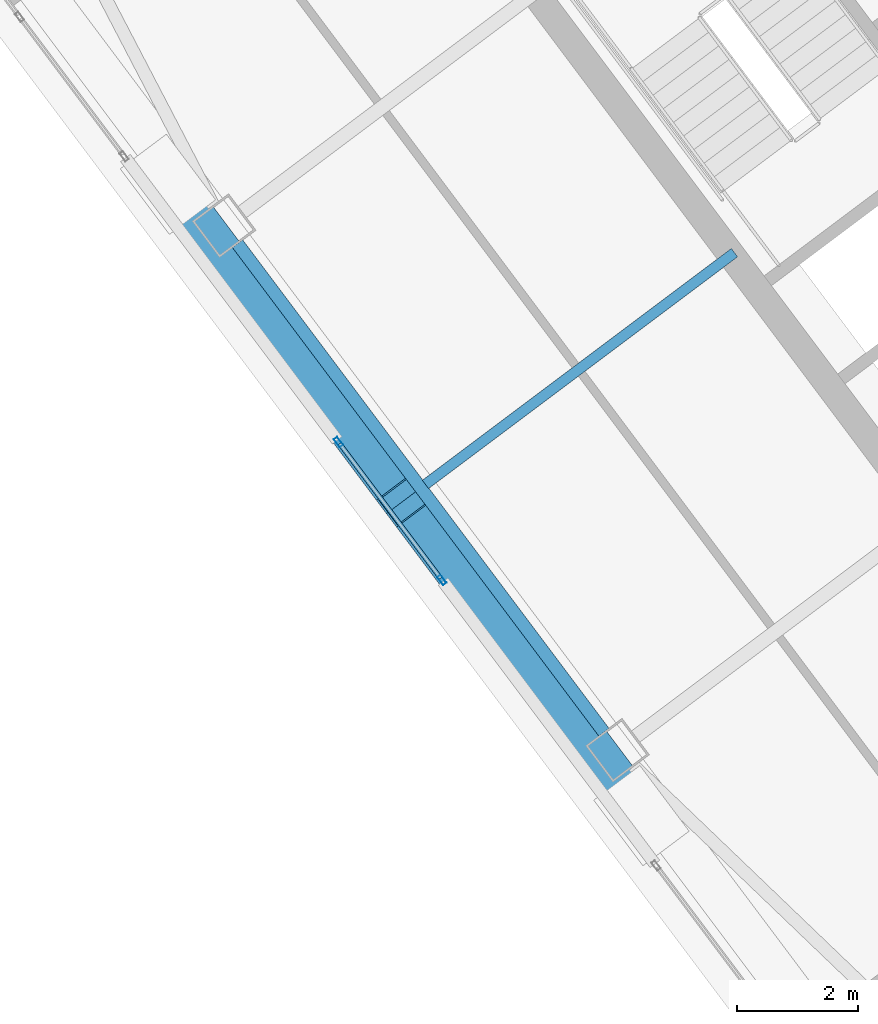
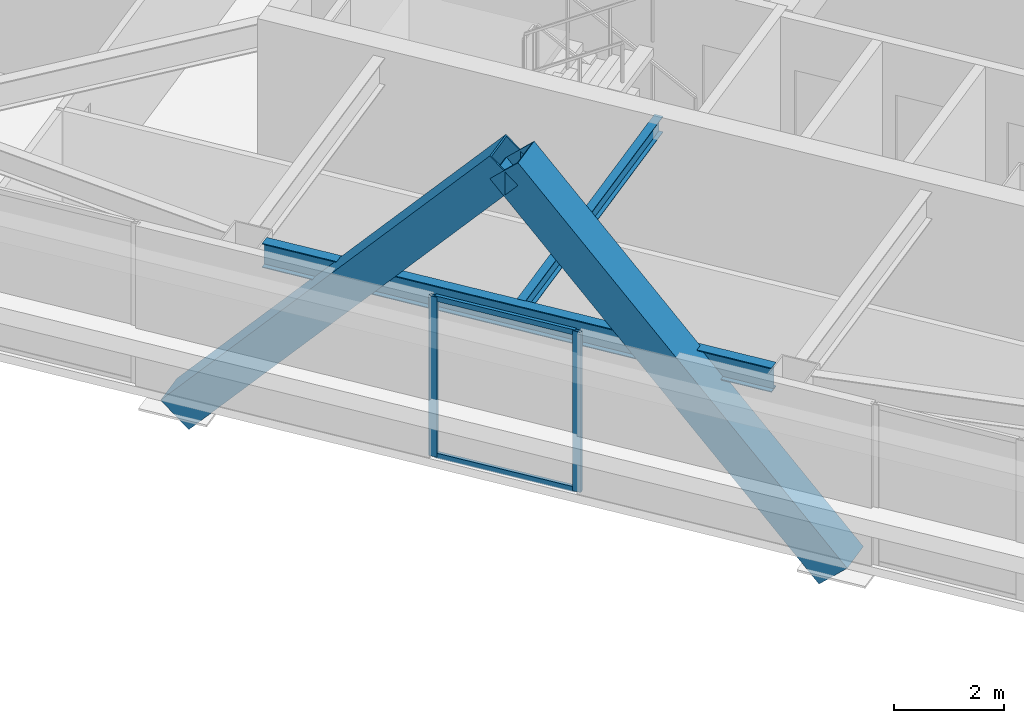
# One storey, part 17 of 39: 6 members, 2 beams, 1 element without a shape of its own.
"""IFC4 building model written with IfcOpenShell, lengths in metres."""

import ifcopenshell
import ifcopenshell.guid

model = None  # the IFC model being written
_history = None  # IfcOwnerHistory: only IFC2X3 demands one
_inside = {}  # id of a spatial element -> (the spatial element, [elements in it])
_under = {}  # id of a project, library or spatial element -> (it, [spatial elements below it])
_declared = {}  # id of a project -> (the project, [libraries it declares])
_typed = {}  # id of a type object -> (the type object, [elements of that type])
_made_of = {}  # id of a material, layer set ... -> (it, [elements and type objects made of it])


def new_model(schema):
    """Start an empty IFC model of exactly this schema.

    Asked for "IFC4X3", IfcOpenShell would pick the latest addendum, in which some entities
    have other attributes; the version numbers below select the first issue.
    IFC2X3 requires an IfcOwnerHistory on every rooted entity: one is made here for all.
    """
    global model, _history
    if schema == "IFC4X3":
        model = ifcopenshell.file(schema_version=(4, 3, 0, 0))
    else:
        model = ifcopenshell.file(schema=schema)
    _inside.clear()
    _under.clear()
    _declared.clear()
    _typed.clear()
    _made_of.clear()
    _history = None
    if model.schema == "IFC2X3":
        org = make("IfcOrganization", Name="unknown")
        user = make(
            "IfcPersonAndOrganization",
            ThePerson=make("IfcPerson", FamilyName="unknown"),
            TheOrganization=org,
        )
        app = make(
            "IfcApplication",
            ApplicationDeveloper=org,
            Version="unknown",
            ApplicationFullName="unknown",
            ApplicationIdentifier="unknown",
        )
        _history = make(
            "IfcOwnerHistory",
            OwningUser=user,
            OwningApplication=app,
            ChangeAction="ADDED",
            CreationDate=0,
        )
    return model


def make(cls, **values):
    """One entity of the class cls with the attributes given. An attribute that is None is left unset."""
    return model.create_entity(
        cls, **{name: value for name, value in values.items() if value is not None}
    )


def rooted(cls, **values):
    """An entity with a GlobalId (a new one), such as an element, a storey or a relation."""
    return make(cls, GlobalId=ifcopenshell.guid.new(), OwnerHistory=_history, **values)


def si_unit(unit_type, name, prefix=None):
    """IfcSIUnit, for example si_unit("LENGTHUNIT", "METRE", prefix="MILLI")."""
    return make("IfcSIUnit", UnitType=unit_type, Prefix=prefix, Name=name)


def assignment(units):
    """IfcUnitAssignment: the units of a project."""
    return None if units is None else make("IfcUnitAssignment", Units=units)


def point(xyz):
    """IfcCartesianPoint."""
    return None if xyz is None else make("IfcCartesianPoint", Coordinates=xyz)


def direction(xyz):
    """IfcDirection."""
    return None if xyz is None else make("IfcDirection", DirectionRatios=xyz)


def frame(location, z_axis=None, x_axis=None):
    """IfcAxis2Placement3D, a coordinate frame: its origin and axes. An axis left out is left unset."""
    return make(
        "IfcAxis2Placement3D",
        Location=point(location),
        Axis=direction(z_axis),
        RefDirection=direction(x_axis),
    )


def frame_2d(location, x_axis=None):
    """IfcAxis2Placement2D, a coordinate frame in the plane: its origin and x axis."""
    return make(
        "IfcAxis2Placement2D", Location=point(location), RefDirection=direction(x_axis)
    )


def origin():
    """The frame at (0, 0, 0) with its axes left unset."""
    return frame((0.0, 0.0, 0.0))


def origin_2d():
    """The frame at (0, 0) in the plane with its x axis left unset."""
    return frame_2d((0.0, 0.0))


def place(relative_to, where):
    """IfcLocalPlacement: puts the frame where relative to a parent placement (None: the world)."""
    return make(
        "IfcLocalPlacement", PlacementRelTo=relative_to, RelativePlacement=where
    )


def context(
    kind, dimensions, precision=None, world=None, true_north=None, identifier=None
):
    """IfcGeometricRepresentationContext, for example the 3D "Model" context."""
    return make(
        "IfcGeometricRepresentationContext",
        ContextIdentifier=identifier,
        ContextType=kind,
        CoordinateSpaceDimension=dimensions,
        Precision=precision,
        WorldCoordinateSystem=world,
        TrueNorth=true_north,
    )


def subcontext(parent, identifier, kind, view, scale=None):
    """IfcGeometricRepresentationSubContext, for example "Body" below "Model"."""
    return make(
        "IfcGeometricRepresentationSubContext",
        ContextIdentifier=identifier,
        ContextType=kind,
        ParentContext=parent,
        TargetScale=scale,
        TargetView=view,
    )


def project(units=None, contexts=None):
    """IfcProject with its units and contexts."""
    return rooted(
        "IfcProject",
        Name="project",
        RepresentationContexts=contexts,
        UnitsInContext=assignment(units),
    )


def spatial(cls, under=None, at=None, **own):
    """A site, building, storey or space (cls), placed at a placement, below another one or the project."""
    s = rooted(cls, ObjectPlacement=at, **own)
    if under is not None:
        _under.setdefault(under.id(), (under, []))[1].append(s)
    return s


def profile(cls, at=None, kind="AREA", **sizes):
    """A parametric profile (cls). Its sizes go by their IFC names, for example OverallWidth=200.0."""
    return make(cls, ProfileType=kind, Position=at, **sizes)


def hollow_rectangle(**sizes):
    """IfcRectangleHollowProfileDef."""
    return profile("IfcRectangleHollowProfileDef", **sizes)


def i_section(**sizes):
    """IfcIShapeProfileDef."""
    return profile("IfcIShapeProfileDef", **sizes)


def extrude(swept, where, along, depth):
    """IfcExtrudedAreaSolid: the profile swept, set in the frame where, extruded along a direction by depth."""
    return make(
        "IfcExtrudedAreaSolid",
        SweptArea=swept,
        Position=where,
        ExtrudedDirection=direction(along),
        Depth=depth,
    )


def shape(context_of_items, identifier, shape_type, items):
    """IfcShapeRepresentation: the items that make up one representation, for example the "Body"."""
    return make(
        "IfcShapeRepresentation",
        ContextOfItems=context_of_items,
        RepresentationIdentifier=identifier,
        RepresentationType=shape_type,
        Items=items,
    )


def material(Name=None, Category=None):
    """IfcMaterial."""
    return make("IfcMaterial", Name=Name, Category=Category)


def material_profile(
    of_material, cross_section, Name=None, Category=None, Priority=None
):
    """IfcMaterialProfile: a cross section and its material."""
    return make(
        "IfcMaterialProfile",
        Name=Name,
        Material=of_material,
        Profile=cross_section,
        Priority=Priority,
        Category=Category,
    )


def profile_set(profiles, Name=None, composite=None):
    """IfcMaterialProfileSet."""
    return make(
        "IfcMaterialProfileSet",
        Name=Name,
        MaterialProfiles=profiles,
        CompositeProfile=composite,
    )


def made_of(thing, what):
    """Note that an element or type object is made of a material, layer set ...; save() writes the relation."""
    if what is not None:
        _made_of.setdefault(what.id(), (what, []))[1].append(thing)
    return thing


def type_object(cls, material=None, **own):
    """A type object (cls), such as IfcWallType, which elements share."""
    return made_of(rooted(cls, **own), material)


def element(
    cls,
    number,
    at=None,
    inside=None,
    cuts=None,
    type_object=None,
    material=None,
    context=None,
    identifier="Body",
    shape_type=None,
    held_by="IfcProductDefinitionShape",
    body=None,
    shapes=None,
    **own,
):
    """One element of the class cls, such as IfcWall. Its Tag is "e" and its number.

    at: its placement. inside: the storey or other place that contains it. cuts: it is an
    opening in that element (IfcRelVoidsElement). A single representation is given by context,
    identifier, shape_type and body (its items); several are given by shapes. held_by: the class
    of the entity that holds the representations. save() writes the other relations.
    """
    e = rooted(cls, Tag="e%d" % number, ObjectPlacement=at, **own)
    if body is not None:
        shapes = [shape(context, identifier, shape_type, body)]
    if shapes is not None:
        e.Representation = make(held_by, Representations=shapes)
    if inside is not None:
        _inside.setdefault(inside.id(), (inside, []))[1].append(e)
    if cuts is not None:
        rooted(
            "IfcRelVoidsElement", RelatingBuildingElement=cuts, RelatedOpeningElement=e
        )
    if type_object is not None:
        _typed.setdefault(type_object.id(), (type_object, []))[1].append(e)
    return made_of(e, material)


def aggregate(whole, parts):
    """IfcRelAggregates: a whole, such as a stair, and the parts it consists of."""
    return rooted("IfcRelAggregates", RelatingObject=whole, RelatedObjects=parts)


def save(model, path):
    """Write the relations noted so far, then the file.

    IfcRelAggregates (storeys below a building ...), IfcRelContainedInSpatialStructure (elements
    in a storey), IfcRelDefinesByType, IfcRelAssociatesMaterial and IfcRelDeclares: one each for
    every whole, place, type object, material and project.
    """
    for whole, parts in _under.values():
        aggregate(whole, parts)
    for where, things in _inside.values():
        rooted(
            "IfcRelContainedInSpatialStructure",
            RelatedElements=things,
            RelatingStructure=where,
        )
    for kind, things in _typed.values():
        rooted("IfcRelDefinesByType", RelatedObjects=things, RelatingType=kind)
    for what, things in _made_of.values():
        rooted("IfcRelAssociatesMaterial", RelatedObjects=things, RelatingMaterial=what)
    for by, libraries in _declared.values():
        rooted("IfcRelDeclares", RelatingContext=by, RelatedDefinitions=libraries)
    model.write(path)


model = new_model("IFC4")

# Units and contexts
model_context = context("Model", 3, precision=1e-05, world=origin(), true_north=direction((0.0, 1.0)))
body_context = subcontext(model_context, "Body", "Model", "MODEL_VIEW")
ifc_project = project(units=[si_unit("LENGTHUNIT", "METRE"), si_unit("AREAUNIT", "SQUARE_METRE"), si_unit("VOLUMEUNIT", "CUBIC_METRE"), si_unit("PLANEANGLEUNIT", "RADIAN"), si_unit("MASSUNIT", "GRAM", prefix="KILO")], contexts=[model_context])

# Site, building, storey
site_placement = place(None, origin())
site = spatial("IfcSite", under=ifc_project, at=site_placement, CompositionType="ELEMENT")
building_placement = place(site_placement, origin())
building = spatial("IfcBuilding", under=site, at=building_placement, Name="Tashvorn Skyway Center", CompositionType="ELEMENT")
storey_placement = place(building_placement, frame((0.0, 0.0, 239.699951171875)))
storey = spatial("IfcBuildingStorey", under=building, at=storey_placement, Name="L65", CompositionType="ELEMENT", Elevation=239.699951171875)

# Beams
ifc_material_1 = material(Name="Steel ASTM A992 Grade 50", Category="steel")
ifc_material_profile_1 = material_profile(ifc_material_1, i_section(OverallWidth=0.1708984375, OverallDepth=0.35498046875, WebThickness=0.007080078125, FlangeThickness=0.01171875, at=origin_2d()), Name="W14X34")
ifc_profile_set_1 = profile_set([ifc_material_profile_1], Name="Steel ASTM A992 Grade 50")
beam_type_1 = type_object("IfcBeamType", Name="BM-JOIST-W14X34", PredefinedType="JOIST", material=ifc_profile_set_1)
beam_1_placement = place(storey_placement, frame((107.76806640625, 27.325927734375, 3.192626953125), z_axis=(-0.800013813639, -0.599981581373, 0.0), x_axis=(0.599981581373, -0.800013813639, 0.0)))
element("IfcBeam", 1, at=beam_1_placement, inside=storey, type_object=beam_type_1, Name="Tower 2 L65 Secondary Composite Joist JW", PredefinedType="JOIST", context=body_context, shape_type="SweptSolid", body=[
    extrude(i_section(OverallWidth=0.1708984375, OverallDepth=0.35498046875, WebThickness=0.007080078125, FlangeThickness=0.01171875, at=origin_2d()), origin(), (0.0, 0.0, 1.0), 6.362548828125),
])
ifc_material_profile_2 = material_profile(ifc_material_1, i_section(OverallWidth=0.2109375, OverallDepth=0.5390625, WebThickness=0.01171875, FlangeThickness=0.018798828125, at=origin_2d()), Name="W21X73")
ifc_profile_set_2 = profile_set([ifc_material_profile_2], Name="Steel ASTM A992 Grade 50")
beam_type_2 = type_object("IfcBeamType", Name="BM-SPANDREL-W21X73", PredefinedType="SPANDREL", material=ifc_profile_set_2)
beam_2_placement = place(storey_placement, frame((99.58203125, 27.47412109375, 3.1005859375), z_axis=(0.599988351091, -0.800008736549, 0.0), x_axis=(0.800008736549, 0.599988351091, 0.0)))
element("IfcBeam", 2, at=beam_2_placement, inside=storey, type_object=beam_type_2, Name="Tower 2 L65 Spandrel Beam 11", PredefinedType="SPANDREL", context=body_context, shape_type="SweptSolid", body=[
    extrude(i_section(OverallWidth=0.2109375, OverallDepth=0.5390625, WebThickness=0.01171875, FlangeThickness=0.018798828125, at=origin_2d()), origin(), (0.0, 0.0, 1.0), 10.06005859375),
])

# Curtain wall, members
ifc_material_2 = material(Name="Thermally broken bronze-anodized aluminium 6063-T6", Category="aluminium")
curtain_wall_type = type_object("IfcCurtainWallType", Name="CW-CW-Z5", PredefinedType="NOTDEFINED", material=ifc_material_2)
curtain_wall_placement = place(storey_placement, origin())
curtain_wall = element("IfcCurtainWall", 3, at=curtain_wall_placement, inside=storey, type_object=curtain_wall_type, Name="Tower 2 L65 West Unitised Curtain Wall Glazing Group 2", PredefinedType="NOTDEFINED")
ifc_material_profile_3 = material_profile(ifc_material_2, hollow_rectangle(XDim=0.070068359375, YDim=0.1650390625, WallThickness=0.00390625, at=origin_2d()), Name="ALU-MULL-70x165")
ifc_profile_set_3 = profile_set([ifc_material_profile_3], Name="Thermally broken bronze-anodized aluminium 6063-T6")
member_type_1 = type_object("IfcMemberType", Name="CWM-CW-Z5", PredefinedType="MULLION", material=ifc_profile_set_3)
member_1_placement = place(storey_placement, frame((102.947021484375, 21.937255859375, 0.0), z_axis=(0.0, 0.0, 1.0), x_axis=(-0.800008256656, -0.599988990967, 0.0)))
member_1 = element("IfcMember", 4, at=member_1_placement, type_object=member_type_1, Name="CW-Z5 mullion 1", PredefinedType="MULLION", context=body_context, shape_type="SweptSolid", body=[
    extrude(hollow_rectangle(XDim=0.070068359375, YDim=0.1650390625, WallThickness=0.00390625, at=origin_2d()), origin(), (0.0, 0.0, 1.0), 3.550048828125),
])
member_2_placement = place(storey_placement, frame((101.2451171875, 24.206787109375, 0.0), z_axis=(0.0, 0.0, 1.0), x_axis=(-0.800008256656, -0.599988990967, 0.0)))
member_2 = element("IfcMember", 5, at=member_2_placement, type_object=member_type_1, Name="CW-Z5 mullion 2", PredefinedType="MULLION", context=body_context, shape_type="SweptSolid", body=[
    extrude(hollow_rectangle(XDim=0.070068359375, YDim=0.1650390625, WallThickness=0.00390625, at=origin_2d()), origin(), (0.0, 0.0, 1.0), 3.550048828125),
])
ifc_material_profile_4 = material_profile(ifc_material_2, hollow_rectangle(XDim=0.070068359375, YDim=0.114990234375, WallThickness=0.00390625, at=origin_2d()), Name="ALU-TRAN-70x115")
ifc_profile_set_4 = profile_set([ifc_material_profile_4], Name="Thermally broken bronze-anodized aluminium 6063-T6")
member_type_2 = type_object("IfcMemberType", Name="CWT-CW-Z5", PredefinedType="USERDEFINED", material=ifc_profile_set_4)
member_3_placement = place(storey_placement, frame((102.926025390625, 21.96533203125, 0.03515625), z_axis=(-0.599971761508, 0.80002117809, 0.0), x_axis=(-0.80002117809, -0.599971761508, 0.0)))
member_3 = element("IfcMember", 6, at=member_3_placement, type_object=member_type_2, Name="CW-Z5 transom 1.1", ObjectType="TRANSOM", PredefinedType="USERDEFINED", context=body_context, shape_type="SweptSolid", body=[
    extrude(hollow_rectangle(XDim=0.070068359375, YDim=0.114990234375, WallThickness=0.00390625, at=origin_2d()), origin(), (0.0, 0.0, 1.0), 2.7666015625),
])
member_4_placement = place(storey_placement, frame((102.926025390625, 21.96533203125, 3.51513671875), z_axis=(-0.599971761508, 0.80002117809, 0.0), x_axis=(-0.80002117809, -0.599971761508, 0.0)))
member_4 = element("IfcMember", 7, at=member_4_placement, type_object=member_type_2, Name="CW-Z5 transom 1.2", ObjectType="TRANSOM", PredefinedType="USERDEFINED", context=body_context, shape_type="SweptSolid", body=[
    extrude(hollow_rectangle(XDim=0.070068359375, YDim=0.114990234375, WallThickness=0.00390625, at=origin_2d()), origin(), (0.0, 0.0, 1.0), 2.7666015625),
])
aggregate(curtain_wall, [member_1, member_2, member_3, member_4])

# Members
ifc_material_3 = material(Name="Steel ASTM A572 Grade 50", Category="steel")
ifc_material_profile_5 = material_profile(ifc_material_3, hollow_rectangle(XDim=0.75, YDim=0.75, WallThickness=0.031982421875, at=origin_2d()), Name="BOX750x750x32")
ifc_profile_set_5 = profile_set([ifc_material_profile_5], Name="Steel ASTM A572 Grade 50")
member_type_3 = type_object("IfcMemberType", Name="MEM-MB-750", PredefinedType="BRACE", material=ifc_profile_set_5)
for number, where, z_axis, x_axis, name in (
    (8, (98.43603515625, 28.451904296875, -0.449951171875), (0.402056002686, -0.536083060048, 0.742270788482), (0.800004507257, 0.599993990277, 0.0), "Tower 2 Zone 6 W Chevron Mega-Brace L2"),
    (9, (106.236083984375, 18.052001953125, -0.449951171875), (-0.402077103157, 0.536077635064, 0.742263276945), (-0.799986478264, -0.600018028558, 0.0), "Tower 2 Zone 6 W Chevron Mega-Brace R2"),
):
    element("IfcMember", number, at=place(storey_placement, frame(where, z_axis=z_axis, x_axis=x_axis)), inside=storey, type_object=member_type_3, Name=name, PredefinedType="BRACE", context=body_context, shape_type="SweptSolid", body=[
        extrude(hollow_rectangle(XDim=0.75, YDim=0.75, WallThickness=0.031982421875, at=origin_2d()), origin(), (0.0, 0.0, 1.0), 9.699951171875),
    ])

save(model, "model.ifc")
